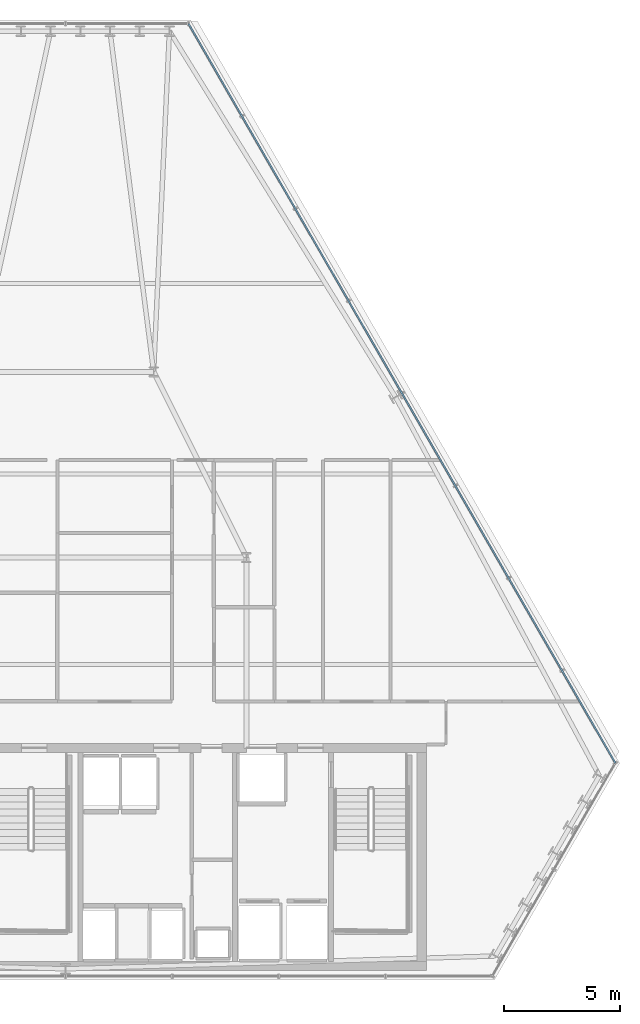
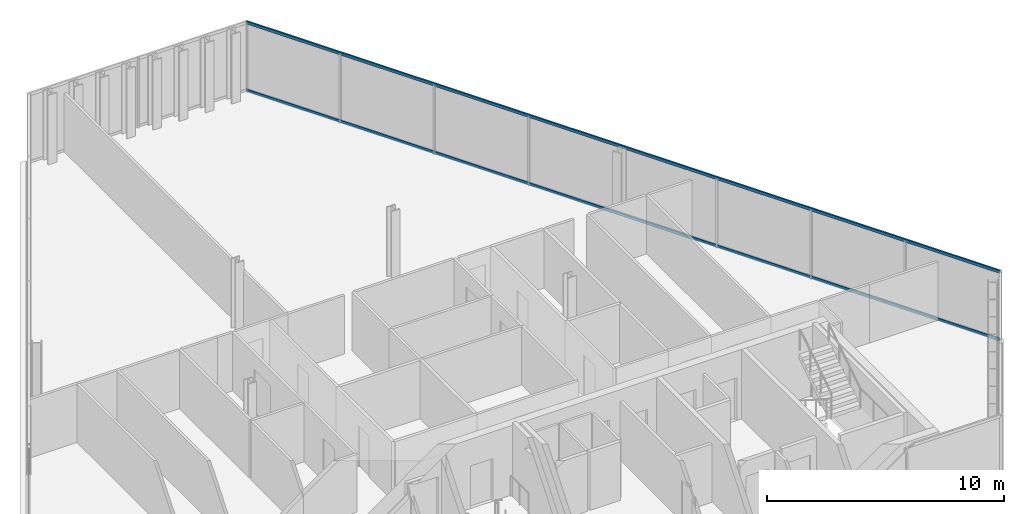
# One storey, part 19 of 33: 2 members, 1 element without a shape of its own.
"""IFC4 building model written with IfcOpenShell, lengths in metres."""

from ifc_helpers import new_model, si_unit, direction, frame, origin, origin_2d, place, context, subcontext, project, spatial, hollow_rectangle, extrude, material, layer, layer_set, material_profile, profile_set, type_object, element, aggregate, save


model = new_model("IFC4")

# Units and contexts
model_context = context("Model", 3, precision=1e-05, world=origin(), true_north=direction((0.0, 1.0)))
body_context = subcontext(model_context, "Body", "Model", "MODEL_VIEW")
ifc_project = project(units=[si_unit("LENGTHUNIT", "METRE"), si_unit("AREAUNIT", "SQUARE_METRE"), si_unit("VOLUMEUNIT", "CUBIC_METRE"), si_unit("PLANEANGLEUNIT", "RADIAN"), si_unit("MASSUNIT", "GRAM", prefix="KILO")], contexts=[model_context])

# Site, building, storey
site_placement = place(None, origin())
site = spatial("IfcSite", under=ifc_project, at=site_placement, CompositionType="ELEMENT")
building_placement = place(site_placement, origin())
building = spatial("IfcBuilding", under=site, at=building_placement, Name="Ndaravel Arena Tower", CompositionType="ELEMENT")
storey_placement = place(building_placement, frame((0.0, 0.0, 161.199951171875)))
storey = spatial("IfcBuildingStorey", under=building, at=storey_placement, Name="L38", CompositionType="ELEMENT", Elevation=161.199951171875)

# Curtain wall, members
ifc_material_1 = material(Name="Aluminium", Category="aluminium")
ifc_layer = layer(ifc_material_1, 0.179931640625)
ifc_layer_set = layer_set([ifc_layer], Name="Aluminium")
curtain_wall_type = type_object("IfcCurtainWallType", Name="CW-SYS-03", PredefinedType="NOTDEFINED", material=ifc_layer_set)
curtain_wall_placement = place(storey_placement, origin())
curtain_wall = element("IfcCurtainWall", 1, at=curtain_wall_placement, inside=storey, type_object=curtain_wall_type, Name="L38 Faceted Crystal Curtain Wall CW-L38-E03", PredefinedType="NOTDEFINED")
ifc_material_2 = material(Name="Aluminium", Category="aluminium")
ifc_material_profile = material_profile(ifc_material_2, hollow_rectangle(XDim=0.074951171875, YDim=0.14990234375, WallThickness=0.00390625, at=origin_2d()), Name="CW TRANSOM 75x150x4")
ifc_profile_set = profile_set([ifc_material_profile], Name="Aluminium")
member_type = type_object("IfcMemberType", Name="MEM-CW-TRN150", PredefinedType="USERDEFINED", material=ifc_profile_set)
member_1_placement = place(storey_placement, frame((65.6953125, 14.348388671875, 0.0400390625), z_axis=(-0.499997675288, 0.866026745954, 0.0), x_axis=(-0.866026745954, -0.499997675288, 0.0)))
member_1 = element("IfcMember", 2, at=member_1_placement, type_object=member_type, Name="CW-L38-E03 Transom 01", ObjectType="TRANSOM", PredefinedType="USERDEFINED", context=body_context, shape_type="SweptSolid", body=[
    extrude(hollow_rectangle(XDim=0.074951171875, YDim=0.14990234375, WallThickness=0.00390625, at=origin_2d()), origin(), (0.0, 0.0, 1.0), 36.781005859375),
])
member_2_placement = place(storey_placement, frame((65.6953125, 14.348388671875, 3.5400390625), z_axis=(-0.499997675288, 0.866026745954, 0.0), x_axis=(-0.866026745954, -0.499997675288, 0.0)))
member_2 = element("IfcMember", 3, at=member_2_placement, type_object=member_type, Name="CW-L38-E03 Transom 02", ObjectType="TRANSOM", PredefinedType="USERDEFINED", context=body_context, shape_type="SweptSolid", body=[
    extrude(hollow_rectangle(XDim=0.074951171875, YDim=0.14990234375, WallThickness=0.00390625, at=origin_2d()), origin(), (0.0, 0.0, 1.0), 36.781005859375),
])
aggregate(curtain_wall, [member_1, member_2])

save(model, "model.ifc")
